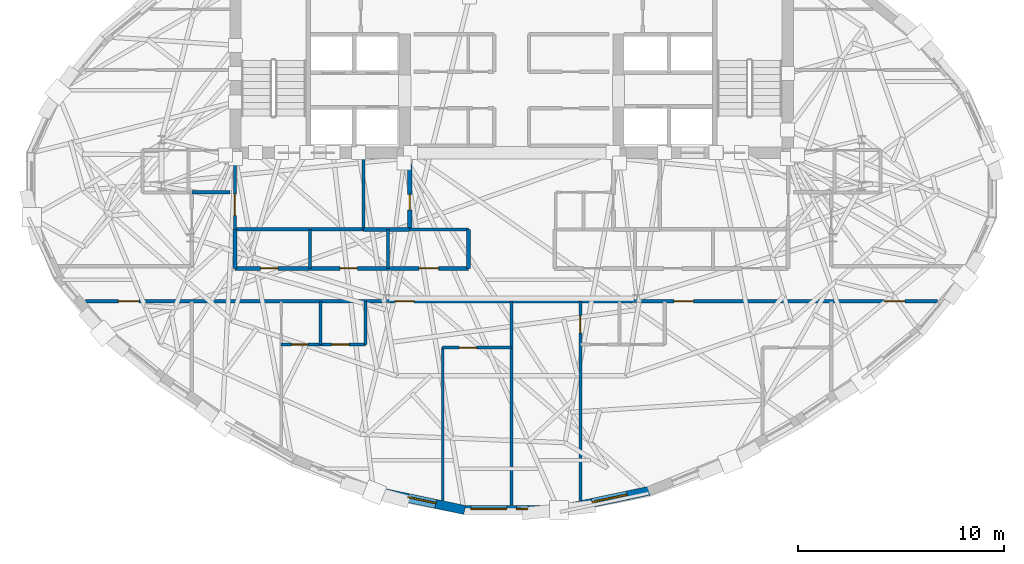
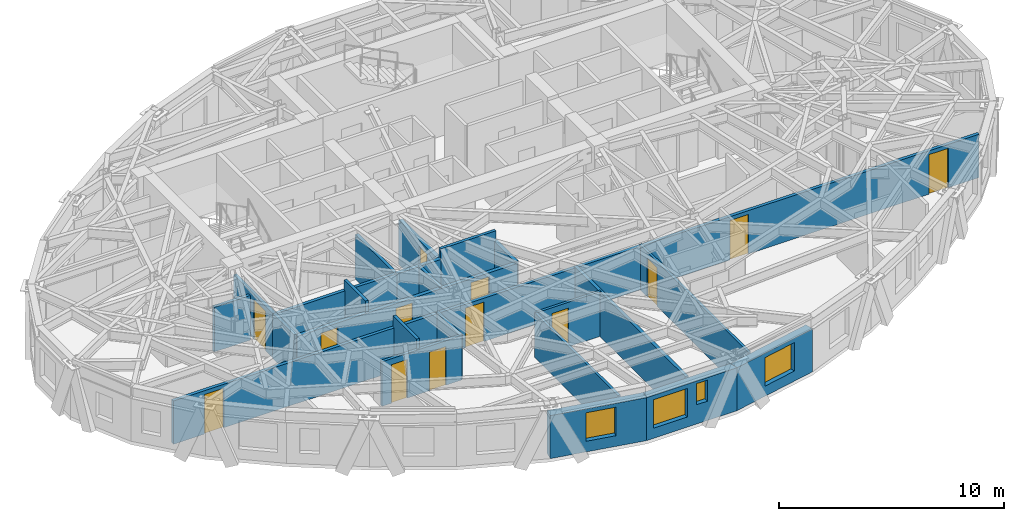
# One storey, part 6 of 14: 23 walls, 13 doors, 4 windows, 17 openings.
"""IFC4 building model written with IfcOpenShell, lengths in metres."""

from ifc_helpers import new_model, si_unit, direction, frame, frame_2d, origin, place, context, subcontext, project, spatial, rectangle, extrude, material, layer, layer_set, type_object, element, fill, save


model = new_model("IFC4")

# Units and contexts
model_context = context("Model", 3, precision=1e-05, world=origin(), true_north=direction((0.0, 1.0)))
body_context = subcontext(model_context, "Body", "Model", "MODEL_VIEW")
ifc_project = project(units=[si_unit("LENGTHUNIT", "METRE"), si_unit("AREAUNIT", "SQUARE_METRE"), si_unit("VOLUMEUNIT", "CUBIC_METRE"), si_unit("PLANEANGLEUNIT", "RADIAN"), si_unit("MASSUNIT", "GRAM", prefix="KILO")], contexts=[model_context])

# Site, building, storey
site_placement = place(None, origin())
site = spatial("IfcSite", under=ifc_project, at=site_placement, CompositionType="ELEMENT")
building_placement = place(site_placement, origin())
building = spatial("IfcBuilding", under=site, at=building_placement, Name="Keldmark Tower", CompositionType="ELEMENT")
storey_placement = place(building_placement, frame((0.0, 0.0, 213.14990234375)))
storey = spatial("IfcBuildingStorey", under=building, at=storey_placement, Name="L59", CompositionType="ELEMENT", Elevation=213.14990234375)

# Wall, openings, doors
ifc_material_1 = material(Name="Heavy Acoustic Plumbing Chase Gypsum Assembly", Category="gypsum")
ifc_layer_1 = layer(ifc_material_1, 0.18994140625)
ifc_layer_set_1 = layer_set([ifc_layer_1], Name="Heavy Acoustic Plumbing Chase Gypsum Assembly")
wall_type_1 = type_object("IfcWallType", Name="Heavy Wet Wall 190 mm", PredefinedType="PLUMBINGWALL", material=ifc_layer_set_1)
wall_1_placement = place(storey_placement, frame((-13.449951171875, -4.050048828125, 0.0), z_axis=(0.0, 0.0, 1.0), x_axis=(1.0, 0.0, 0.0)))
wall_1 = element("IfcWall", 1, at=wall_1_placement, inside=storey, type_object=wall_type_1, Name="L59 Heavy Wet Wall 190 mm SPK-W-S", PredefinedType="PLUMBINGWALL", context=body_context, shape_type="SweptSolid", body=[
    extrude(rectangle(XDim=11.349853515625, YDim=0.18994140625, at=frame_2d((5.6748046875, 0.0))), origin(), (0.0, 0.0, 1.0), 2.357177734375),
])
opening_1_placement = place(wall_1_placement, frame((1.25, 0.0, 0.0)))
opening_1 = element("IfcOpeningElement", 2, at=opening_1_placement, cuts=wall_1, Name="Opening D-WC085", PredefinedType="OPENING", context=body_context, shape_type="SweptSolid", body=[
    extrude(rectangle(XDim=0.85009765625, YDim=2.10009765625, at=frame_2d((0.425048828125, 1.050048828125))), frame((0.0, 0.10498046875, 0.0), z_axis=(0.0, -1.0, 0.0), x_axis=(1.0, 0.0, 0.0)), (0.0, 0.0, 1.0), 0.2099609375),
])
opening_2_placement = place(wall_1_placement, frame((5.10009765625, 0.0, 0.0)))
opening_2 = element("IfcOpeningElement", 3, at=opening_2_placement, cuts=wall_1, Name="Opening D-WC085", PredefinedType="OPENING", context=body_context, shape_type="SweptSolid", body=[
    extrude(rectangle(XDim=0.85009765625, YDim=2.10009765625, at=frame_2d((0.425048828125, 1.050048828125))), frame((0.0, 0.10498046875, 0.0), z_axis=(0.0, -1.0, 0.0), x_axis=(1.0, 0.0, 0.0)), (0.0, 0.0, 1.0), 0.2099609375),
])
opening_3_placement = place(wall_1_placement, frame((8.949951171875, 0.0, 0.0)))
opening_3 = element("IfcOpeningElement", 4, at=opening_3_placement, cuts=wall_1, Name="Opening D-AWC95", PredefinedType="OPENING", context=body_context, shape_type="SweptSolid", body=[
    extrude(rectangle(XDim=0.949951171875, YDim=2.14990234375, at=frame_2d((0.47509765625, 1.074951171875))), frame((0.0, 0.10498046875, 0.0), z_axis=(0.0, -1.0, 0.0), x_axis=(1.0, 0.0, 0.0)), (0.0, 0.0, 1.0), 0.2099609375),
])
ifc_material_2 = material(Name="Painted Solid-Core Architectural Wood", Category="wood")
door_type_1 = type_object("IfcDoorType", Name="Accessible WC Door 950x2150", OperationType="NOTDEFINED", PredefinedType="DOOR", material=ifc_material_2)
door_1_placement = place(opening_3_placement, origin())
door_1 = element("IfcDoor", 5, at=door_1_placement, inside=storey, type_object=door_type_1, Name="L59 Accessible WC Door 950x2150 D-SPKW3-L59", OperationType="SINGLE_SWING_LEFT", OverallHeight=2.14990234375, OverallWidth=0.949951171875, PredefinedType="DOOR", context=body_context, shape_type="SweptSolid", body=[
    extrude(rectangle(XDim=0.949951171875, YDim=2.14990234375, at=frame_2d((0.47509765625, 1.074951171875))), frame((0.0, 0.02490234375, 0.0), z_axis=(0.0, -1.0, 0.0), x_axis=(1.0, 0.0, 0.0)), (0.0, 0.0, 1.0), 0.050048828125),
])
fill(opening_3, door_1)
ifc_material_3 = material(Name="Moisture-Sealed Painted Wood", Category="wood")
door_type_2 = type_object("IfcDoorType", Name="WC Door 850x2100", OperationType="NOTDEFINED", PredefinedType="DOOR", material=ifc_material_3)
door_2_placement = place(opening_1_placement, origin())
door_2 = element("IfcDoor", 6, at=door_2_placement, inside=storey, type_object=door_type_2, Name="L59 WC Door 850x2100 D-SPKW1-L59", OperationType="SINGLE_SWING_LEFT", OverallHeight=2.10009765625, OverallWidth=0.85009765625, PredefinedType="DOOR", context=body_context, shape_type="SweptSolid", body=[
    extrude(rectangle(XDim=0.85009765625, YDim=2.10009765625, at=frame_2d((0.425048828125, 1.050048828125))), frame((0.0, 0.02490234375, 0.0), z_axis=(0.0, -1.0, 0.0), x_axis=(1.0, 0.0, 0.0)), (0.0, 0.0, 1.0), 0.050048828125),
])
fill(opening_1, door_2)
door_3_placement = place(opening_2_placement, origin())
door_3 = element("IfcDoor", 7, at=door_3_placement, inside=storey, type_object=door_type_2, Name="L59 WC Door 850x2100 D-SPKW2-L59", OperationType="SINGLE_SWING_RIGHT", OverallHeight=2.10009765625, OverallWidth=0.85009765625, PredefinedType="DOOR", context=body_context, shape_type="SweptSolid", body=[
    extrude(rectangle(XDim=0.85009765625, YDim=2.10009765625, at=frame_2d((0.425048828125, 1.050048828125))), frame((0.0, 0.02490234375, 0.0), z_axis=(0.0, -1.0, 0.0), x_axis=(1.0, 0.0, 0.0)), (0.0, 0.0, 1.0), 0.050048828125),
])
fill(opening_2, door_3)

# Walls
for number, where, z_axis, x_axis, name in (
    (8, (-13.449951171875, -4.050048828125, 0.0), (0.0, 0.0, 1.0), (0.0, 1.0, 0.0), "L59 Heavy Wet Wall 190 mm SPK-W-W"),
    (9, (-2.10009765625, -4.050048828125, 0.0), (0.0, 0.0, 1.0), (0.0, 1.0, 0.0), "L59 Heavy Wet Wall 190 mm SPK-W-E"),
):
    element("IfcWall", number, at=place(storey_placement, frame(where, z_axis=z_axis, x_axis=x_axis)), inside=storey, type_object=wall_type_1, Name=name, PredefinedType="PLUMBINGWALL", context=body_context, shape_type="SweptSolid", body=[
        extrude(rectangle(XDim=1.900146484375, YDim=0.18994140625, at=frame_2d((0.9501953125, 0.0))), origin(), (0.0, 0.0, 1.0), 2.423095703125),
    ])
ifc_material_4 = material(Name="Acoustic Gypsum Board Interior Partition", Category="gypsum")
ifc_layer_2 = layer(ifc_material_4, 0.1298828125)
ifc_layer_set_2 = layer_set([ifc_layer_2], Name="Acoustic Gypsum Board Interior Partition")
wall_type_2 = type_object("IfcWallType", Name="Interior Partition 130 mm", PredefinedType="PARTITIONING", material=ifc_layer_set_2)
wall_2_placement = place(storey_placement, frame((-3.35009765625, -15.33837890625, 0.0), z_axis=(0.0, 0.0, 1.0), x_axis=(0.0, 1.0, 0.0)))
element("IfcWall", 10, at=wall_2_placement, inside=storey, type_object=wall_type_2, Name="L59 Interior Partition 130 mm UA-BR2-W", PredefinedType="PARTITIONING", context=body_context, shape_type="SweptSolid", body=[
    extrude(rectangle(XDim=7.4384765625, YDim=0.1298828125, at=frame_2d((3.71923828125, 0.0))), origin(), (0.0, 0.0, 1.0), 2.423095703125),
])

# Wall, opening, door
wall_3_placement = place(storey_placement, frame((-3.35009765625, -7.89990234375, 0.0), z_axis=(0.0, 0.0, 1.0), x_axis=(1.0, 0.0, 0.0)))
wall_3 = element("IfcWall", 11, at=wall_3_placement, inside=storey, type_object=wall_type_2, Name="L59 Interior Partition 130 mm UA-BR2-N", PredefinedType="PARTITIONING", context=body_context, shape_type="SweptSolid", body=[
    extrude(rectangle(XDim=3.35009765625, YDim=0.1298828125, at=frame_2d((1.675048828125, 0.0))), origin(), (0.0, 0.0, 1.0), 2.423095703125),
])
opening_4_placement = place(wall_3_placement, frame((0.800048828125, 0.0, 0.0)))
opening_4 = element("IfcOpeningElement", 12, at=opening_4_placement, cuts=wall_3, Name="Opening D-BR085", PredefinedType="OPENING", context=body_context, shape_type="SweptSolid", body=[
    extrude(rectangle(XDim=0.85009765625, YDim=2.10009765625, at=frame_2d((0.425048828125, 1.050048828125))), frame((0.0, 0.074951171875, 0.0), z_axis=(0.0, -1.0, 0.0), x_axis=(1.0, 0.0, 0.0)), (0.0, 0.0, 1.0), 0.14990234375),
])
ifc_material_5 = material(Name="Solid-Core Stained Walnut Wood", Category="wood")
door_type_3 = type_object("IfcDoorType", Name="Bedroom Door 850x2100", OperationType="NOTDEFINED", PredefinedType="DOOR", material=ifc_material_5)
door_4_placement = place(opening_4_placement, origin())
door_4 = element("IfcDoor", 13, at=door_4_placement, inside=storey, type_object=door_type_3, Name="L59 Bedroom Door 850x2100 D-UA-BR2-L59", OperationType="SINGLE_SWING_LEFT", OverallHeight=2.10009765625, OverallWidth=0.85009765625, PredefinedType="DOOR", context=body_context, shape_type="SweptSolid", body=[
    extrude(rectangle(XDim=0.85009765625, YDim=2.10009765625, at=frame_2d((0.425048828125, 1.050048828125))), frame((0.0, 0.02490234375, 0.0), z_axis=(0.0, -1.0, 0.0), x_axis=(1.0, 0.0, 0.0)), (0.0, 0.0, 1.0), 0.050048828125),
])
fill(opening_4, door_4)

wall_4_placement = place(storey_placement, frame((3.35009765625, -15.33837890625, 0.0), z_axis=(0.0, 0.0, 1.0), x_axis=(0.0, 1.0, 0.0)))
wall_4 = element("IfcWall", 14, at=wall_4_placement, inside=storey, type_object=wall_type_2, Name="L59 Interior Partition 130 mm UB-BR1-E", PredefinedType="PARTITIONING", context=body_context, shape_type="SweptSolid", body=[
    extrude(rectangle(XDim=9.6884765625, YDim=0.1298828125, at=frame_2d((4.84423828125, 0.0))), origin(), (0.0, 0.0, 1.0), 2.423095703125),
])
opening_5_placement = place(wall_4_placement, frame((8.138427734375, 0.0, 0.0)))
opening_5 = element("IfcOpeningElement", 15, at=opening_5_placement, cuts=wall_4, Name="Opening D-BR085", PredefinedType="OPENING", context=body_context, shape_type="SweptSolid", body=[
    extrude(rectangle(XDim=0.85009765625, YDim=2.10009765625, at=frame_2d((0.425048828125, 1.050048828125))), frame((0.0, 0.074951171875, 0.0), z_axis=(0.0, -1.0, 0.0), x_axis=(1.0, 0.0, 0.0)), (0.0, 0.0, 1.0), 0.14990234375),
])
door_5_placement = place(opening_5_placement, origin())
door_5 = element("IfcDoor", 16, at=door_5_placement, inside=storey, type_object=door_type_3, Name="L59 Bedroom Door 850x2100 D-UB-BR1-L59", OperationType="SINGLE_SWING_RIGHT", OverallHeight=2.10009765625, OverallWidth=0.85009765625, PredefinedType="DOOR", context=body_context, shape_type="SweptSolid", body=[
    extrude(rectangle(XDim=0.85009765625, YDim=2.10009765625, at=frame_2d((0.425048828125, 1.050048828125))), frame((0.0, 0.02490234375, 0.0), z_axis=(0.0, -1.0, 0.0), x_axis=(1.0, 0.0, 0.0)), (0.0, 0.0, 1.0), 0.050048828125),
])
fill(opening_5, door_5)

# Wall
ifc_material_6 = material(Name="Type X Fire-Rated Gypsum Partition Assembly", Category="gypsum")
ifc_layer_3 = layer(ifc_material_6, 0.1650390625)
ifc_layer_set_3 = layer_set([ifc_layer_3], Name="Type X Fire-Rated Gypsum Partition Assembly")
wall_type_3 = type_object("IfcWallType", Name="Rated Partition 165 mm", PredefinedType="PARTITIONING", material=ifc_layer_set_3)
wall_5_placement = place(storey_placement, frame((-13.449951171875, -2.14990234375, 0.0), z_axis=(0.0, 0.0, 1.0), x_axis=(1.0, 0.0, 0.0)))
element("IfcWall", 17, at=wall_5_placement, inside=storey, type_object=wall_type_3, Name="L59 Rated Partition 165 mm FSAE-W-S", PredefinedType="PARTITIONING", context=body_context, shape_type="SweptSolid", body=[
    extrude(rectangle(XDim=6.25, YDim=0.1650390625, at=frame_2d((3.125, 0.0))), origin(), (0.0, 0.0, 1.0), 2.423095703125),
])

# Wall, opening, door
wall_6_placement = place(storey_placement, frame((-13.449951171875, -2.14990234375, 0.0), z_axis=(0.0, 0.0, 1.0), x_axis=(0.0, 1.0, 0.0)))
wall_6 = element("IfcWall", 18, at=wall_6_placement, inside=storey, type_object=wall_type_3, Name="L59 Rated Partition 165 mm FSAE-W-W", PredefinedType="PARTITIONING", context=body_context, shape_type="SweptSolid", body=[
    extrude(rectangle(XDim=3.5, YDim=0.1650390625, at=frame_2d((1.75, 0.0))), origin(), (0.0, 0.0, 1.0), 2.423095703125),
])
opening_6_placement = place(wall_6_placement, frame((0.669921875, 0.0, 0.0)))
opening_6 = element("IfcOpeningElement", 19, at=opening_6_placement, cuts=wall_6, Name="Opening D-FL105", PredefinedType="OPENING", context=body_context, shape_type="SweptSolid", body=[
    extrude(rectangle(XDim=1.050048828125, YDim=2.14990234375, at=frame_2d((0.52490234375, 1.074951171875))), frame((0.0, 0.092529296875, 0.0), z_axis=(0.0, -1.0, 0.0), x_axis=(1.0, 0.0, 0.0)), (0.0, 0.0, 1.0), 0.18505859375),
])
ifc_material_7 = material(Name="Fire-Rated Mineral-Core Door and Vision Lite", Category="metal")
door_type_4 = type_object("IfcDoorType", Name="Fire Lobby Door 1050x2150", OperationType="NOTDEFINED", PredefinedType="DOOR", material=ifc_material_7)
door_6_placement = place(opening_6_placement, origin())
door_6 = element("IfcDoor", 20, at=door_6_placement, inside=storey, type_object=door_type_4, Name="L59 Fire Lobby Door 1050x2150 D-FSAEW-OUT-L59", OperationType="SINGLE_SWING_LEFT", OverallHeight=2.14990234375, OverallWidth=1.050048828125, PredefinedType="DOOR", context=body_context, shape_type="SweptSolid", body=[
    extrude(rectangle(XDim=1.050048828125, YDim=2.14990234375, at=frame_2d((0.52490234375, 1.074951171875))), frame((0.0, 0.02490234375, 0.0), z_axis=(0.0, -1.0, 0.0), x_axis=(1.0, 0.0, 0.0)), (0.0, 0.0, 1.0), 0.050048828125),
])
fill(opening_6, door_6)

# Wall
wall_7_placement = place(storey_placement, frame((-7.199951171875, -2.14990234375, 0.0), z_axis=(0.0, 0.0, 1.0), x_axis=(0.0, 1.0, 0.0)))
element("IfcWall", 21, at=wall_7_placement, inside=storey, type_object=wall_type_3, Name="L59 Rated Partition 165 mm FSAE-W-E", PredefinedType="PARTITIONING", context=body_context, shape_type="SweptSolid", body=[
    extrude(rectangle(XDim=3.5, YDim=0.1650390625, at=frame_2d((1.75, 0.0))), origin(), (0.0, 0.0, 1.0), 2.423095703125),
])

# Wall, openings, doors
wall_8_placement = place(storey_placement, frame((-20.7099609375, -5.64990234375, 0.0), z_axis=(0.0, 0.0, 1.0), x_axis=(1.0, 0.0, 0.0)))
wall_8 = element("IfcWall", 22, at=wall_8_placement, inside=storey, type_object=wall_type_3, Name="L59 Rated Partition 165 mm RCOR-S", PredefinedType="PARTITIONING", context=body_context, shape_type="SweptSolid", body=[
    extrude(rectangle(XDim=41.419921875, YDim=0.1650390625, at=frame_2d((20.7099609375, 0.0))), origin(), (0.0, 0.0, 1.0), 2.357177734375),
])
opening_7_placement = place(wall_8_placement, frame((1.5869140625, 0.0, 0.0)))
opening_7 = element("IfcOpeningElement", 23, at=opening_7_placement, cuts=wall_8, Name="Opening D-FD100", PredefinedType="OPENING", context=body_context, shape_type="SweptSolid", body=[
    extrude(rectangle(XDim=1.0, YDim=2.14990234375, at=frame_2d((0.5, 1.074951171875))), frame((0.0, 0.092529296875, 0.0), z_axis=(0.0, -1.0, 0.0), x_axis=(1.0, 0.0, 0.0)), (0.0, 0.0, 1.0), 0.18505859375),
])
opening_8_placement = place(wall_8_placement, frame((38.8330078125, 0.0, 0.0)))
opening_8 = element("IfcOpeningElement", 24, at=opening_8_placement, cuts=wall_8, Name="Opening D-FD100", PredefinedType="OPENING", context=body_context, shape_type="SweptSolid", body=[
    extrude(rectangle(XDim=1.0, YDim=2.14990234375, at=frame_2d((0.5, 1.074951171875))), frame((0.0, 0.092529296875, 0.0), z_axis=(0.0, -1.0, 0.0), x_axis=(1.0, 0.0, 0.0)), (0.0, 0.0, 1.0), 0.18505859375),
])
opening_9_placement = place(wall_8_placement, frame((15.02001953125, 0.0, 0.0)))
opening_9 = element("IfcOpeningElement", 25, at=opening_9_placement, cuts=wall_8, Name="Opening D-AP095", PredefinedType="OPENING", context=body_context, shape_type="SweptSolid", body=[
    extrude(rectangle(XDim=0.949951171875, YDim=2.14990234375, at=frame_2d((0.47509765625, 1.074951171875))), frame((0.0, 0.092529296875, 0.0), z_axis=(0.0, -1.0, 0.0), x_axis=(1.0, 0.0, 0.0)), (0.0, 0.0, 1.0), 0.18505859375),
])
opening_10_placement = place(wall_8_placement, frame((28.60986328125, 0.0, 0.0)))
opening_10 = element("IfcOpeningElement", 26, at=opening_10_placement, cuts=wall_8, Name="Opening D-AP095", PredefinedType="OPENING", context=body_context, shape_type="SweptSolid", body=[
    extrude(rectangle(XDim=0.949951171875, YDim=2.14990234375, at=frame_2d((0.47509765625, 1.074951171875))), frame((0.0, 0.092529296875, 0.0), z_axis=(0.0, -1.0, 0.0), x_axis=(1.0, 0.0, 0.0)), (0.0, 0.0, 1.0), 0.18505859375),
])
ifc_material_8 = material(Name="Solid-Core Walnut Fire-Rated Entry Assembly", Category="wood")
door_type_5 = type_object("IfcDoorType", Name="Apartment Entry Door 950x2150", OperationType="NOTDEFINED", PredefinedType="DOOR", material=ifc_material_8)
door_7_placement = place(opening_9_placement, origin())
door_7 = element("IfcDoor", 27, at=door_7_placement, inside=storey, type_object=door_type_5, Name="L59 Apartment Entry Door 950x2150 D-UA-ENT-L59", OperationType="SINGLE_SWING_RIGHT", OverallHeight=2.14990234375, OverallWidth=0.949951171875, PredefinedType="DOOR", context=body_context, shape_type="SweptSolid", body=[
    extrude(rectangle(XDim=0.949951171875, YDim=2.14990234375, at=frame_2d((0.47509765625, 1.074951171875))), frame((0.0, 0.02490234375, 0.0), z_axis=(0.0, -1.0, 0.0), x_axis=(1.0, 0.0, 0.0)), (0.0, 0.0, 1.0), 0.050048828125),
])
fill(opening_9, door_7)
door_8_placement = place(opening_10_placement, origin())
door_8 = element("IfcDoor", 28, at=door_8_placement, inside=storey, type_object=door_type_5, Name="L59 Apartment Entry Door 950x2150 D-UB-ENT-L59", OperationType="SINGLE_SWING_LEFT", OverallHeight=2.14990234375, OverallWidth=0.949951171875, PredefinedType="DOOR", context=body_context, shape_type="SweptSolid", body=[
    extrude(rectangle(XDim=0.949951171875, YDim=2.14990234375, at=frame_2d((0.47509765625, 1.074951171875))), frame((0.0, 0.02490234375, 0.0), z_axis=(0.0, -1.0, 0.0), x_axis=(1.0, 0.0, 0.0)), (0.0, 0.0, 1.0), 0.050048828125),
])
fill(opening_10, door_8)
ifc_material_9 = material(Name="Hollow Metal Fire-Rated Corridor Door", Category="metal")
door_type_6 = type_object("IfcDoorType", Name="Fire Door 1000x2150", OperationType="NOTDEFINED", PredefinedType="DOOR", material=ifc_material_9)
door_9_placement = place(opening_7_placement, origin())
door_9 = element("IfcDoor", 29, at=door_9_placement, inside=storey, type_object=door_type_6, Name="L59 Fire Door 1000x2150 D-RSCW-L59", OperationType="SINGLE_SWING_LEFT", OverallHeight=2.14990234375, OverallWidth=1.0, PredefinedType="DOOR", context=body_context, shape_type="SweptSolid", body=[
    extrude(rectangle(XDim=1.0, YDim=2.14990234375, at=frame_2d((0.5, 1.074951171875))), frame((0.0, 0.02490234375, 0.0), z_axis=(0.0, -1.0, 0.0), x_axis=(1.0, 0.0, 0.0)), (0.0, 0.0, 1.0), 0.050048828125),
])
fill(opening_7, door_9)
door_10_placement = place(opening_8_placement, origin())
door_10 = element("IfcDoor", 30, at=door_10_placement, inside=storey, type_object=door_type_6, Name="L59 Fire Door 1000x2150 D-RSCE-L59", OperationType="SINGLE_SWING_LEFT", OverallHeight=2.14990234375, OverallWidth=1.0, PredefinedType="DOOR", context=body_context, shape_type="SweptSolid", body=[
    extrude(rectangle(XDim=1.0, YDim=2.14990234375, at=frame_2d((0.5, 1.074951171875))), frame((0.0, 0.02490234375, 0.0), z_axis=(0.0, -1.0, 0.0), x_axis=(1.0, 0.0, 0.0)), (0.0, 0.0, 1.0), 0.050048828125),
])
fill(opening_8, door_10)

# Walls
wall_9_placement = place(storey_placement, frame((-15.550048828125, -0.35009765625, 0.0), z_axis=(0.0, 0.0, 1.0), x_axis=(1.0, 0.0, 0.0)))
element("IfcWall", 31, at=wall_9_placement, inside=storey, type_object=wall_type_3, Name="L59 Rated Partition 165 mm RCOR-VWN", PredefinedType="PARTITIONING", context=body_context, shape_type="SweptSolid", body=[
    extrude(rectangle(XDim=1.85009765625, YDim=0.1650390625, at=frame_2d((0.925048828125, 0.0))), origin(), (0.0, 0.0, 1.0), 2.423095703125),
])
wall_10_placement = place(storey_placement, frame((0.0, -15.564697265625, 0.0), z_axis=(0.0, 0.0, 1.0), x_axis=(0.0, 1.0, 0.0)))
element("IfcWall", 32, at=wall_10_placement, inside=storey, type_object=wall_type_3, Name="L59 Rated Partition 165 mm RS-DIV-1", PredefinedType="PARTITIONING", context=body_context, shape_type="SweptSolid", body=[
    extrude(rectangle(XDim=9.914794921875, YDim=0.1650390625, at=frame_2d((4.95751953125, 0.0))), origin(), (0.0, 0.0, 1.0), 2.423095703125),
])
ifc_material_10 = material(Name="Fire-Resistant Type X Gypsum Shaftliner Coreboard", Category="gypsum")
ifc_layer_4 = layer(ifc_material_10, 0.199951171875)
ifc_layer_set_4 = layer_set([ifc_layer_4], Name="Fire-Resistant Type X Gypsum Shaftliner Coreboard")
wall_type_4 = type_object("IfcWallType", Name="Shaft Wall 200 mm", PredefinedType="SOLIDWALL", material=ifc_layer_set_4)
wall_11_placement = place(storey_placement, frame((-7.199951171875, -2.14990234375, 0.0), z_axis=(0.0, 0.0, 1.0), x_axis=(1.0, 0.0, 0.0)))
element("IfcWall", 33, at=wall_11_placement, inside=storey, type_object=wall_type_4, Name="L59 Shaft Wall 200 mm RIS-SW-S", PredefinedType="SOLIDWALL", context=body_context, shape_type="SweptSolid", body=[
    extrude(rectangle(XDim=2.25, YDim=0.199951171875, at=frame_2d((1.125, 0.0))), origin(), (0.0, 0.0, 1.0), 2.423095703125),
])

# Wall, opening, door
wall_12_placement = place(storey_placement, frame((-4.949951171875, -2.14990234375, 0.0), z_axis=(0.0, 0.0, 1.0), x_axis=(0.0, 1.0, 0.0)))
wall_12 = element("IfcWall", 34, at=wall_12_placement, inside=storey, type_object=wall_type_4, Name="L59 Shaft Wall 200 mm RIS-SW-E", PredefinedType="SOLIDWALL", context=body_context, shape_type="SweptSolid", body=[
    extrude(rectangle(XDim=3.5, YDim=0.199951171875, at=frame_2d((1.75, 0.0))), origin(), (0.0, 0.0, 1.0), 2.423095703125),
])
opening_11_placement = place(wall_12_placement, frame((0.949951171875, 0.0, 0.0)))
opening_11 = element("IfcOpeningElement", 35, at=opening_11_placement, cuts=wall_12, Name="Opening D-RS075", PredefinedType="OPENING", context=body_context, shape_type="SweptSolid", body=[
    extrude(rectangle(XDim=0.75, YDim=2.10009765625, at=frame_2d((0.375, 1.050048828125))), frame((0.0, 0.10986328125, 0.0), z_axis=(0.0, -1.0, 0.0), x_axis=(1.0, 0.0, 0.0)), (0.0, 0.0, 1.0), 0.219970703125),
])
ifc_material_11 = material(Name="Galvanized Fire-Rated Access Leaf", Category="metal")
door_type_7 = type_object("IfcDoorType", Name="Riser Access Door 750x2100", OperationType="NOTDEFINED", PredefinedType="DOOR", material=ifc_material_11)
door_11_placement = place(opening_11_placement, origin())
door_11 = element("IfcDoor", 36, at=door_11_placement, inside=storey, type_object=door_type_7, Name="L59 Riser Access Door 750x2100 D-RISSW-L59", OperationType="SINGLE_SWING_RIGHT", OverallHeight=2.10009765625, OverallWidth=0.75, PredefinedType="DOOR", context=body_context, shape_type="SweptSolid", body=[
    extrude(rectangle(XDim=0.75, YDim=2.10009765625, at=frame_2d((0.375, 1.050048828125))), frame((0.0, 0.02490234375, 0.0), z_axis=(0.0, -1.0, 0.0), x_axis=(1.0, 0.0, 0.0)), (0.0, 0.0, 1.0), 0.050048828125),
])
fill(opening_11, door_11)

# Wall, opening, window
ifc_material_12 = material(Name="Ironspot Manganese Brick and Kasota Buff Limestone Spandrel Assembly", Category="masonry")
ifc_layer_5 = layer(ifc_material_12, 0.43994140625)
ifc_layer_set_5 = layer_set([ifc_layer_5], Name="Ironspot Manganese Brick and Kasota Buff Limestone Spandrel Assembly")
wall_type_5 = type_object("IfcWallType", Name="Tower Brick Pier and Spandrel Wall 440 mm", PredefinedType="STANDARD", material=ifc_layer_set_5)
wall_13_placement = place(storey_placement, frame((-2.27978515625, -15.797607421875, 0.0), z_axis=(0.0, 0.0, 1.0), x_axis=(-0.97840271225, 0.206707843737, 0.0)))
wall_13 = element("IfcWall", 37, at=wall_13_placement, inside=storey, type_object=wall_type_5, Name="L59 Exterior Brick and Spandrel Wall 23", PredefinedType="STANDARD", context=body_context, shape_type="SweptSolid", body=[
    extrude(rectangle(XDim=4.5166015625, YDim=0.43994140625, at=frame_2d((2.25830078125, 0.0))), origin(), (0.0, 0.0, 1.0), 2.336181640625),
])
opening_12_placement = place(wall_13_placement, frame((1.434814453125, 0.0, 0.580078125)))
opening_12 = element("IfcOpeningElement", 38, at=opening_12_placement, cuts=wall_13, Name="Opening W-08", PredefinedType="OPENING", context=body_context, shape_type="SweptSolid", body=[
    extrude(rectangle(XDim=1.39990234375, YDim=1.550048828125, at=frame_2d((0.699951171875, 0.77490234375))), frame((0.0, 0.22998046875, 0.0), z_axis=(0.0, -1.0, 0.0), x_axis=(1.0, 0.0, 0.0)), (0.0, 0.0, 1.0), 0.4599609375),
])
ifc_material_13 = material(Name="Thermally Broken Anodized Aluminum and Triple Low-E Argon Glazing", Category="aluminium")
window_type_1 = type_object("IfcWindowType", Name="Residential Corner Punched Window 1400x1550", PartitioningType="SINGLE_PANEL", PredefinedType="WINDOW", material=ifc_material_13)
window_1_placement = place(opening_12_placement, origin())
window_1 = element("IfcWindow", 39, at=window_1_placement, inside=storey, type_object=window_type_1, Name="L59 Deep-Set Window 23", OverallHeight=1.550048828125, OverallWidth=1.39990234375, PartitioningType="SINGLE_PANEL", PredefinedType="WINDOW", context=body_context, shape_type="SweptSolid", body=[
    extrude(rectangle(XDim=1.39990234375, YDim=1.550048828125, at=frame_2d((0.699951171875, 0.77490234375))), frame((0.0, -0.010009765625, 0.0), z_axis=(0.0, -1.0, 0.0), x_axis=(1.0, 0.0, 0.0)), (0.0, 0.0, 1.0), 0.06005859375),
])
fill(opening_12, window_1)

# Wall, openings, windows
wall_14_placement = place(storey_placement, frame((2.3251953125, -15.792724609375, 0.0), z_axis=(0.0, 0.0, 1.0), x_axis=(-1.0, 0.0, 0.0)))
wall_14 = element("IfcWall", 40, at=wall_14_placement, inside=storey, type_object=wall_type_5, Name="L59 Exterior Brick and Spandrel Wall 24", PredefinedType="STANDARD", context=body_context, shape_type="SweptSolid", body=[
    extrude(rectangle(XDim=4.650390625, YDim=0.43994140625, at=frame_2d((2.3251953125, 0.0))), origin(), (0.0, 0.0, 1.0), 2.336181640625),
])
opening_13_placement = place(wall_14_placement, frame((2.553466796875, 0.0, 0.550048828125)))
opening_13 = element("IfcOpeningElement", 41, at=opening_13_placement, cuts=wall_14, Name="Opening W-05", PredefinedType="OPENING", context=body_context, shape_type="SweptSolid", body=[
    extrude(rectangle(XDim=1.75, YDim=1.550048828125, at=frame_2d((0.875, 0.77490234375))), frame((0.0, 0.22998046875, 0.0), z_axis=(0.0, -1.0, 0.0), x_axis=(1.0, 0.0, 0.0)), (0.0, 0.0, 1.0), 0.4599609375),
])
opening_14_placement = place(wall_14_placement, frame((1.525634765625, 0.0, 1.050048828125)))
opening_14 = element("IfcOpeningElement", 42, at=opening_14_placement, cuts=wall_14, Name="Opening W-10", PredefinedType="OPENING", context=body_context, shape_type="SweptSolid", body=[
    extrude(rectangle(XDim=0.56005859375, YDim=1.14990234375, at=frame_2d((0.280029296875, 0.574951171875))), frame((0.0, 0.22998046875, 0.0), z_axis=(0.0, -1.0, 0.0), x_axis=(1.0, 0.0, 0.0)), (0.0, 0.0, 1.0), 0.4599609375),
])
ifc_material_14 = material(Name="Thermally Broken Anodized Aluminum and Triple Low-E Argon Glazing", Category="aluminium")
window_type_2 = type_object("IfcWindowType", Name="Narrow Pier Lancet Window 560x1150", PartitioningType="SINGLE_PANEL", PredefinedType="WINDOW", material=ifc_material_14)
window_2_placement = place(opening_14_placement, origin())
window_2 = element("IfcWindow", 43, at=window_2_placement, inside=storey, type_object=window_type_2, Name="L59 Pier Window RM01", OverallHeight=1.14990234375, OverallWidth=0.56005859375, PartitioningType="SINGLE_PANEL", PredefinedType="WINDOW", context=body_context, shape_type="SweptSolid", body=[
    extrude(rectangle(XDim=0.56005859375, YDim=1.14990234375, at=frame_2d((0.280029296875, 0.574951171875))), frame((0.0, -0.010009765625, 0.0), z_axis=(0.0, -1.0, 0.0), x_axis=(1.0, 0.0, 0.0)), (0.0, 0.0, 1.0), 0.06005859375),
])
fill(opening_14, window_2)
ifc_material_15 = material(Name="Thermally Broken Anodized Aluminum and Triple Low-E Argon Glazing", Category="aluminium")
window_type_3 = type_object("IfcWindowType", Name="Residential Deep-Set Window 1750x1550", PartitioningType="DOUBLE_PANEL_VERTICAL", PredefinedType="WINDOW", material=ifc_material_15)
window_3_placement = place(opening_13_placement, origin())
window_3 = element("IfcWindow", 44, at=window_3_placement, inside=storey, type_object=window_type_3, Name="L59 Deep-Set Window 24", OverallHeight=1.550048828125, OverallWidth=1.75, PartitioningType="SINGLE_PANEL", PredefinedType="WINDOW", context=body_context, shape_type="SweptSolid", body=[
    extrude(rectangle(XDim=1.75, YDim=1.550048828125, at=frame_2d((0.875, 0.77490234375))), frame((0.0, -0.010009765625, 0.0), z_axis=(0.0, -1.0, 0.0), x_axis=(1.0, 0.0, 0.0)), (0.0, 0.0, 1.0), 0.06005859375),
])
fill(opening_13, window_3)

# Wall, opening, window
wall_15_placement = place(storey_placement, frame((6.69873046875, -14.864013671875, 0.0), z_axis=(0.0, 0.0, 1.0), x_axis=(-0.97840271225, -0.206707843737, 0.0)))
wall_15 = element("IfcWall", 45, at=wall_15_placement, inside=storey, type_object=wall_type_5, Name="L59 Exterior Brick and Spandrel Wall 25", PredefinedType="STANDARD", context=body_context, shape_type="SweptSolid", body=[
    extrude(rectangle(XDim=4.5166015625, YDim=0.43994140625, at=frame_2d((2.25830078125, 0.0))), origin(), (0.0, 0.0, 1.0), 2.336181640625),
])
opening_15_placement = place(wall_15_placement, frame((1.08740234375, 0.0, 0.550048828125)))
opening_15 = element("IfcOpeningElement", 46, at=opening_15_placement, cuts=wall_15, Name="Opening W-05", PredefinedType="OPENING", context=body_context, shape_type="SweptSolid", body=[
    extrude(rectangle(XDim=1.75, YDim=1.550048828125, at=frame_2d((0.875, 0.77490234375))), frame((0.0, 0.22998046875, 0.0), z_axis=(0.0, -1.0, 0.0), x_axis=(1.0, 0.0, 0.0)), (0.0, 0.0, 1.0), 0.4599609375),
])
window_4_placement = place(opening_15_placement, origin())
window_4 = element("IfcWindow", 47, at=window_4_placement, inside=storey, type_object=window_type_3, Name="L59 Deep-Set Window 25", OverallHeight=1.550048828125, OverallWidth=1.75, PartitioningType="SINGLE_PANEL", PredefinedType="WINDOW", context=body_context, shape_type="SweptSolid", body=[
    extrude(rectangle(XDim=1.75, YDim=1.550048828125, at=frame_2d((0.875, 0.77490234375))), frame((0.0, -0.010009765625, 0.0), z_axis=(0.0, -1.0, 0.0), x_axis=(1.0, 0.0, 0.0)), (0.0, 0.0, 1.0), 0.06005859375),
])
fill(opening_15, window_4)

# Walls
ifc_material_16 = material(Name="Moisture-Resistant Gypsum Plumbing Partition", Category="gypsum")
ifc_layer_6 = layer(ifc_material_16, 0.14990234375)
ifc_layer_set_6 = layer_set([ifc_layer_6], Name="Moisture-Resistant Gypsum Plumbing Partition")
wall_type_6 = type_object("IfcWallType", Name="Wet Wall 150 mm", PredefinedType="PLUMBINGWALL", material=ifc_layer_set_6)
wall_16_placement = place(storey_placement, frame((-4.949951171875, -2.14990234375, 0.0), z_axis=(0.0, 0.0, 1.0), x_axis=(1.0, 0.0, 0.0)))
element("IfcWall", 48, at=wall_16_placement, inside=storey, type_object=wall_type_6, Name="L59 Wet Wall 150 mm SPK-W-N", PredefinedType="PLUMBINGWALL", context=body_context, shape_type="SweptSolid", body=[
    extrude(rectangle(XDim=2.849853515625, YDim=0.14990234375, at=frame_2d((1.4248046875, 0.0))), origin(), (0.0, 0.0, 1.0), 2.97021484375),
])
wall_17_placement = place(storey_placement, frame((-9.800048828125, -4.050048828125, 0.0), z_axis=(0.0, 0.0, 1.0), x_axis=(0.0, 1.0, 0.0)))
element("IfcWall", 49, at=wall_17_placement, inside=storey, type_object=wall_type_6, Name="L59 Wet Wall 150 mm SPK-W-D1", PredefinedType="PLUMBINGWALL", context=body_context, shape_type="SweptSolid", body=[
    extrude(rectangle(XDim=1.900146484375, YDim=0.14990234375, at=frame_2d((0.9501953125, 0.0))), origin(), (0.0, 0.0, 1.0), 2.97021484375),
])
wall_18_placement = place(storey_placement, frame((-6.0, -4.050048828125, 0.0), z_axis=(0.0, 0.0, 1.0), x_axis=(0.0, 1.0, 0.0)))
element("IfcWall", 50, at=wall_18_placement, inside=storey, type_object=wall_type_6, Name="L59 Wet Wall 150 mm SPK-W-D2", PredefinedType="PLUMBINGWALL", context=body_context, shape_type="SweptSolid", body=[
    extrude(rectangle(XDim=1.900146484375, YDim=0.14990234375, at=frame_2d((0.9501953125, 0.0))), origin(), (0.0, 0.0, 1.0), 2.423095703125),
])

# Wall, openings, doors
wall_19_placement = place(storey_placement, frame((-11.199951171875, -7.75, 0.0), z_axis=(0.0, 0.0, 1.0), x_axis=(1.0, 0.0, 0.0)))
wall_19 = element("IfcWall", 51, at=wall_19_placement, inside=storey, type_object=wall_type_6, Name="L59 Wet Wall 150 mm UA-BK-S", PredefinedType="PLUMBINGWALL", context=body_context, shape_type="SweptSolid", body=[
    extrude(rectangle(XDim=4.099853515625, YDim=0.14990234375, at=frame_2d((2.0498046875, 0.0))), origin(), (0.0, 0.0, 1.0), 2.423095703125),
])
opening_16_placement = place(wall_19_placement, frame((0.5, 0.0, 0.0)))
opening_16 = element("IfcOpeningElement", 52, at=opening_16_placement, cuts=wall_19, Name="Opening D-BT080", PredefinedType="OPENING", context=body_context, shape_type="SweptSolid", body=[
    extrude(rectangle(XDim=0.800048828125, YDim=2.10009765625, at=frame_2d((0.39990234375, 1.050048828125))), frame((0.0, 0.0849609375, 0.0), z_axis=(0.0, -1.0, 0.0), x_axis=(1.0, 0.0, 0.0)), (0.0, 0.0, 1.0), 0.169921875),
])
opening_17_placement = place(wall_19_placement, frame((2.449951171875, 0.0, 0.0)))
opening_17 = element("IfcOpeningElement", 53, at=opening_17_placement, cuts=wall_19, Name="Opening D-IN085", PredefinedType="OPENING", context=body_context, shape_type="SweptSolid", body=[
    extrude(rectangle(XDim=0.85009765625, YDim=2.10009765625, at=frame_2d((0.425048828125, 1.050048828125))), frame((0.0, 0.0849609375, 0.0), z_axis=(0.0, -1.0, 0.0), x_axis=(1.0, 0.0, 0.0)), (0.0, 0.0, 1.0), 0.169921875),
])
ifc_material_17 = material(Name="Moisture-Sealed Stained Wood", Category="wood")
door_type_8 = type_object("IfcDoorType", Name="Bathroom Door 800x2100", OperationType="NOTDEFINED", PredefinedType="DOOR", material=ifc_material_17)
door_12_placement = place(opening_16_placement, origin())
door_12 = element("IfcDoor", 54, at=door_12_placement, inside=storey, type_object=door_type_8, Name="L59 Bathroom Door 800x2100 D-UA-BATH-L59", OperationType="SINGLE_SWING_LEFT", OverallHeight=2.10009765625, OverallWidth=0.800048828125, PredefinedType="DOOR", context=body_context, shape_type="SweptSolid", body=[
    extrude(rectangle(XDim=0.800048828125, YDim=2.10009765625, at=frame_2d((0.39990234375, 1.050048828125))), frame((0.0, 0.02490234375, 0.0), z_axis=(0.0, -1.0, 0.0), x_axis=(1.0, 0.0, 0.0)), (0.0, 0.0, 1.0), 0.050048828125),
])
fill(opening_16, door_12)
ifc_material_18 = material(Name="Painted Architectural Wood", Category="wood")
door_type_9 = type_object("IfcDoorType", Name="Interior Door 850x2100", OperationType="NOTDEFINED", PredefinedType="DOOR", material=ifc_material_18)
door_13_placement = place(opening_17_placement, origin())
door_13 = element("IfcDoor", 55, at=door_13_placement, inside=storey, type_object=door_type_9, Name="L59 Interior Door 850x2100 D-UA-KIT-L59", OperationType="SINGLE_SWING_RIGHT", OverallHeight=2.10009765625, OverallWidth=0.85009765625, PredefinedType="DOOR", context=body_context, shape_type="SweptSolid", body=[
    extrude(rectangle(XDim=0.85009765625, YDim=2.10009765625, at=frame_2d((0.425048828125, 1.050048828125))), frame((0.0, 0.02490234375, 0.0), z_axis=(0.0, -1.0, 0.0), x_axis=(1.0, 0.0, 0.0)), (0.0, 0.0, 1.0), 0.050048828125),
])
fill(opening_17, door_13)

# Walls
wall_20_placement = place(storey_placement, frame((-9.300048828125, -7.75, 0.0), z_axis=(0.0, 0.0, 1.0), x_axis=(0.0, 1.0, 0.0)))
element("IfcWall", 56, at=wall_20_placement, inside=storey, type_object=wall_type_6, Name="L59 Wet Wall 150 mm UA-BK-M", PredefinedType="PLUMBINGWALL", context=body_context, shape_type="SweptSolid", body=[
    extrude(rectangle(XDim=2.10009765625, YDim=0.14990234375, at=frame_2d((1.050048828125, 0.0))), origin(), (0.0, 0.0, 1.0), 2.97021484375),
])
wall_21_placement = place(storey_placement, frame((-7.10009765625, -7.75, 0.0), z_axis=(0.0, 0.0, 1.0), x_axis=(0.0, 1.0, 0.0)))
element("IfcWall", 57, at=wall_21_placement, inside=storey, type_object=wall_type_6, Name="L59 Wet Wall 150 mm UA-BK-E", PredefinedType="PLUMBINGWALL", context=body_context, shape_type="SweptSolid", body=[
    extrude(rectangle(XDim=2.10009765625, YDim=0.14990234375, at=frame_2d((1.050048828125, 0.0))), origin(), (0.0, 0.0, 1.0), 2.423095703125),
])

save(model, "model.ifc")
